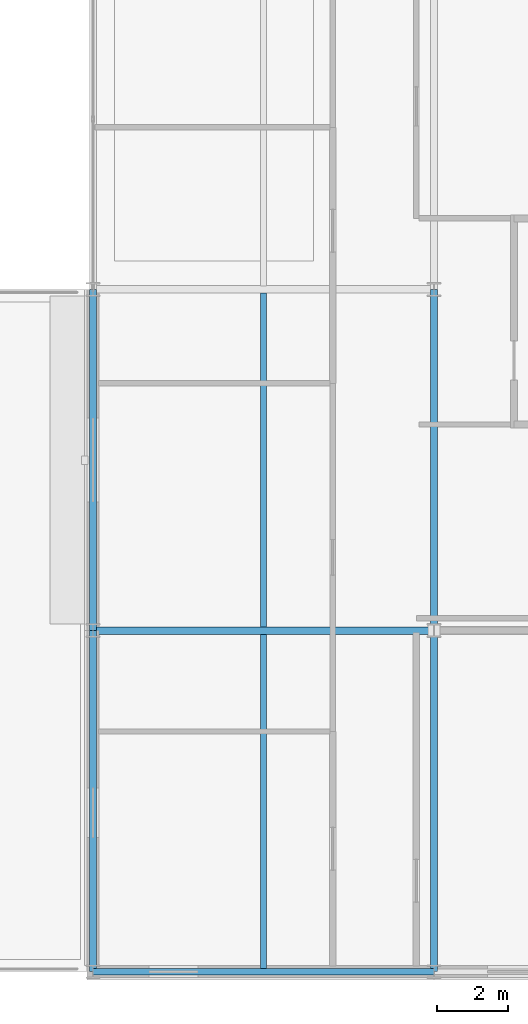
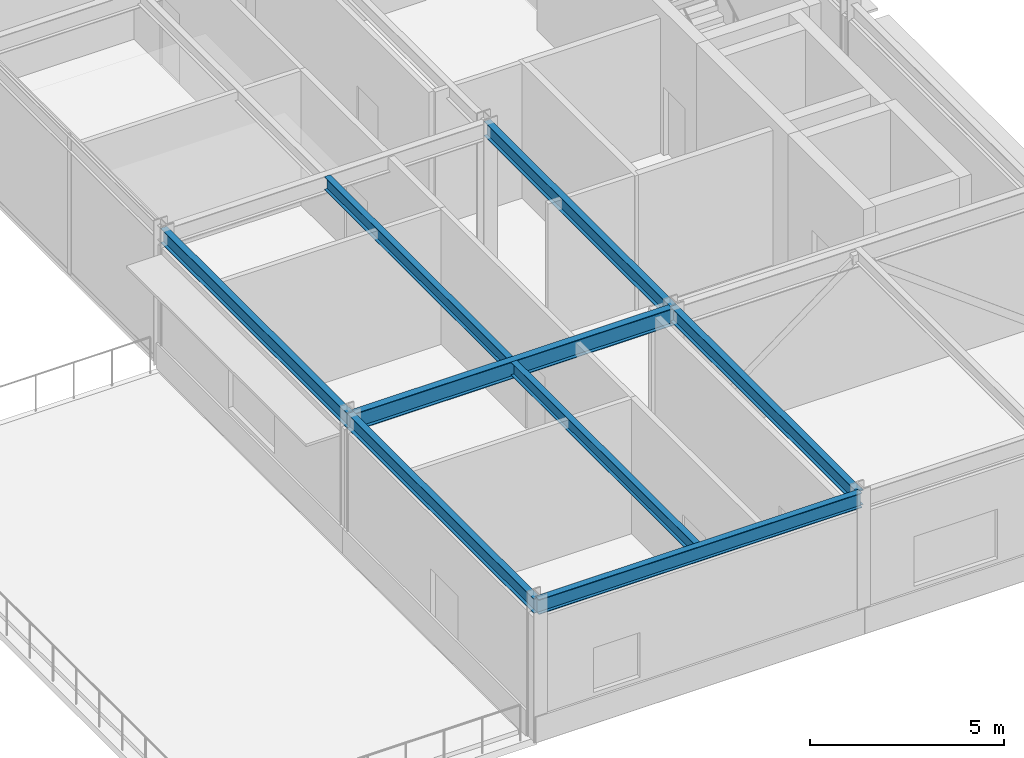
# One storey, part 91 of 157: 8 beams.
"""IFC4 building model written with IfcOpenShell, lengths in metres."""

from ifc_helpers import new_model, si_unit, direction, frame, origin, origin_2d, place, context, subcontext, project, spatial, i_section, extrude, material, material_profile, profile_set, type_object, element, save


model = new_model("IFC4")

# Units and contexts
model_context = context("Model", 3, precision=1e-05, world=origin(), true_north=direction((0.0, 1.0)))
body_context = subcontext(model_context, "Body", "Model", "MODEL_VIEW")
ifc_project = project(units=[si_unit("LENGTHUNIT", "METRE"), si_unit("AREAUNIT", "SQUARE_METRE"), si_unit("VOLUMEUNIT", "CUBIC_METRE"), si_unit("PLANEANGLEUNIT", "RADIAN"), si_unit("MASSUNIT", "GRAM", prefix="KILO")], contexts=[model_context])

# Site, building, storey
site_placement = place(None, origin())
site = spatial("IfcSite", under=ifc_project, at=site_placement, CompositionType="ELEMENT")
building_placement = place(site_placement, origin())
building = spatial("IfcBuilding", under=site, at=building_placement, Name="Almandine Court Research Institute", CompositionType="ELEMENT")
storey_placement = place(building_placement, frame((0.0, 0.0, 5.25)))
storey = spatial("IfcBuildingStorey", under=building, at=storey_placement, Name="L01", CompositionType="ELEMENT", Elevation=5.25)

# Beams
ifc_material = material(Name="Steel ASTM A992 Grade 50", Category="steel")
ifc_material_profile_1 = material_profile(ifc_material, i_section(OverallWidth=0.18994140625, OverallDepth=0.45703125, WebThickness=0.009033203125, FlangeThickness=0.014892578125, at=origin_2d()), Name="W460x74")
ifc_profile_set_1 = profile_set([ifc_material_profile_1], Name="Steel ASTM A992 Grade 50")
beam_type_1 = type_object("IfcBeamType", Name="Beam-B-01", PredefinedType="BEAM", material=ifc_profile_set_1)
for number, where, z_axis, x_axis, name in (
    (1, (153.60009765625, 6.0, 4.14111328125), (0.0, 1.0, 0.0), (-1.0, 0.0, 0.0), "L01 V4 Primary Y Girder"),
    (2, (163.199951171875, 6.0, 4.14111328125), (0.0, 1.0, 0.0), (-1.0, 0.0, 0.0), "L01 V4 Primary Y Girder"),
):
    element("IfcBeam", number, at=place(storey_placement, frame(where, z_axis=z_axis, x_axis=x_axis)), inside=storey, type_object=beam_type_1, Name=name, PredefinedType="BEAM", context=body_context, shape_type="SweptSolid", body=[
        extrude(i_section(OverallWidth=0.18994140625, OverallDepth=0.45703125, WebThickness=0.009033203125, FlangeThickness=0.014892578125, at=origin_2d()), origin(), (0.0, 0.0, 1.0), 9.60009765625),
    ])
for number, where, z_axis, x_axis, name in (
    (3, (153.60009765625, 15.60009765625, 4.14111328125), (0.0, 1.0, 0.0), (-1.0, 0.0, 0.0), "L01 V4 Primary Y Girder"),
    (4, (163.199951171875, 15.60009765625, 4.14111328125), (0.0, 1.0, 0.0), (-1.0, 0.0, 0.0), "L01 V4 Primary Y Girder"),
):
    element("IfcBeam", number, at=place(storey_placement, frame(where, z_axis=z_axis, x_axis=x_axis)), inside=storey, type_object=beam_type_1, Name=name, PredefinedType="BEAM", context=body_context, shape_type="SweptSolid", body=[
        extrude(i_section(OverallWidth=0.18994140625, OverallDepth=0.45703125, WebThickness=0.009033203125, FlangeThickness=0.014892578125, at=origin_2d()), origin(), (0.0, 0.0, 1.0), 9.599853515625),
    ])
ifc_material_profile_2 = material_profile(ifc_material, i_section(OverallWidth=0.178955078125, OverallDepth=0.409912109375, WebThickness=0.009033203125, FlangeThickness=0.013916015625, at=origin_2d()), Name="W410x67")
ifc_profile_set_2 = profile_set([ifc_material_profile_2], Name="Steel ASTM A992 Grade 50")
beam_type_2 = type_object("IfcBeamType", Name="Beam-B-02", PredefinedType="JOIST", material=ifc_profile_set_2)
beam_1_placement = place(storey_placement, frame((158.39990234375, 6.094970703125, 4.1650390625), z_axis=(0.0, 1.0, 0.0), x_axis=(-1.0, 0.0, 0.0)))
element("IfcBeam", 5, at=beam_1_placement, inside=storey, type_object=beam_type_2, Name="L01 V4 Composite Secondary Beam", PredefinedType="JOIST", context=body_context, shape_type="SweptSolid", body=[
    extrude(i_section(OverallWidth=0.178955078125, OverallDepth=0.409912109375, WebThickness=0.009033203125, FlangeThickness=0.013916015625, at=origin_2d()), origin(), (0.0, 0.0, 1.0), 9.401123046875),
])
beam_2_placement = place(storey_placement, frame((158.39990234375, 15.7041015625, 4.1650390625), z_axis=(0.0, 1.0, 0.0), x_axis=(-1.0, 0.0, 0.0)))
element("IfcBeam", 6, at=beam_2_placement, inside=storey, type_object=beam_type_2, Name="L01 V4 Composite Secondary Beam", PredefinedType="JOIST", context=body_context, shape_type="SweptSolid", body=[
    extrude(i_section(OverallWidth=0.178955078125, OverallDepth=0.409912109375, WebThickness=0.009033203125, FlangeThickness=0.013916015625, at=origin_2d()), origin(), (0.0, 0.0, 1.0), 9.391845703125),
])
ifc_material_profile_3 = material_profile(ifc_material, i_section(OverallWidth=0.2109375, OverallDepth=0.5390625, WebThickness=0.011962890625, FlangeThickness=0.01904296875, at=origin_2d()), Name="W530x109")
ifc_profile_set_3 = profile_set([ifc_material_profile_3], Name="Steel ASTM A992 Grade 50")
beam_type_3 = type_object("IfcBeamType", Name="Beam-G-04", PredefinedType="BEAM", material=ifc_profile_set_3)
beam_3_placement = place(storey_placement, frame((153.60009765625, 15.60009765625, 4.10009765625), z_axis=(1.0, 0.0, 0.0), x_axis=(0.0, 1.0, 0.0)))
element("IfcBeam", 7, at=beam_3_placement, inside=storey, type_object=beam_type_3, Name="L01 V4 Primary X Girder", PredefinedType="BEAM", context=body_context, shape_type="SweptSolid", body=[
    extrude(i_section(OverallWidth=0.2109375, OverallDepth=0.5390625, WebThickness=0.011962890625, FlangeThickness=0.01904296875, at=origin_2d()), origin(), (0.0, 0.0, 1.0), 9.599853515625),
])
ifc_material_profile_4 = material_profile(ifc_material, i_section(OverallWidth=0.193115234375, OverallDepth=0.466064453125, WebThickness=0.010986328125, FlangeThickness=0.01904296875, at=origin_2d()), Name="W460x97")
ifc_profile_set_4 = profile_set([ifc_material_profile_4], Name="Steel ASTM A992 Grade 50")
beam_type_4 = type_object("IfcBeamType", Name="Beam-G-06-E", PredefinedType="SPANDREL", material=ifc_profile_set_4)
beam_4_placement = place(storey_placement, frame((153.60009765625, 6.0, 4.136962890625), z_axis=(1.0, 0.0, 0.0), x_axis=(0.0, 1.0, 0.0)))
element("IfcBeam", 8, at=beam_4_placement, inside=storey, type_object=beam_type_4, Name="L01 V4 Primary X Girder", PredefinedType="SPANDREL", context=body_context, shape_type="SweptSolid", body=[
    extrude(i_section(OverallWidth=0.193115234375, OverallDepth=0.466064453125, WebThickness=0.010986328125, FlangeThickness=0.01904296875, at=origin_2d()), origin(), (0.0, 0.0, 1.0), 9.599853515625),
])

save(model, "model.ifc")
